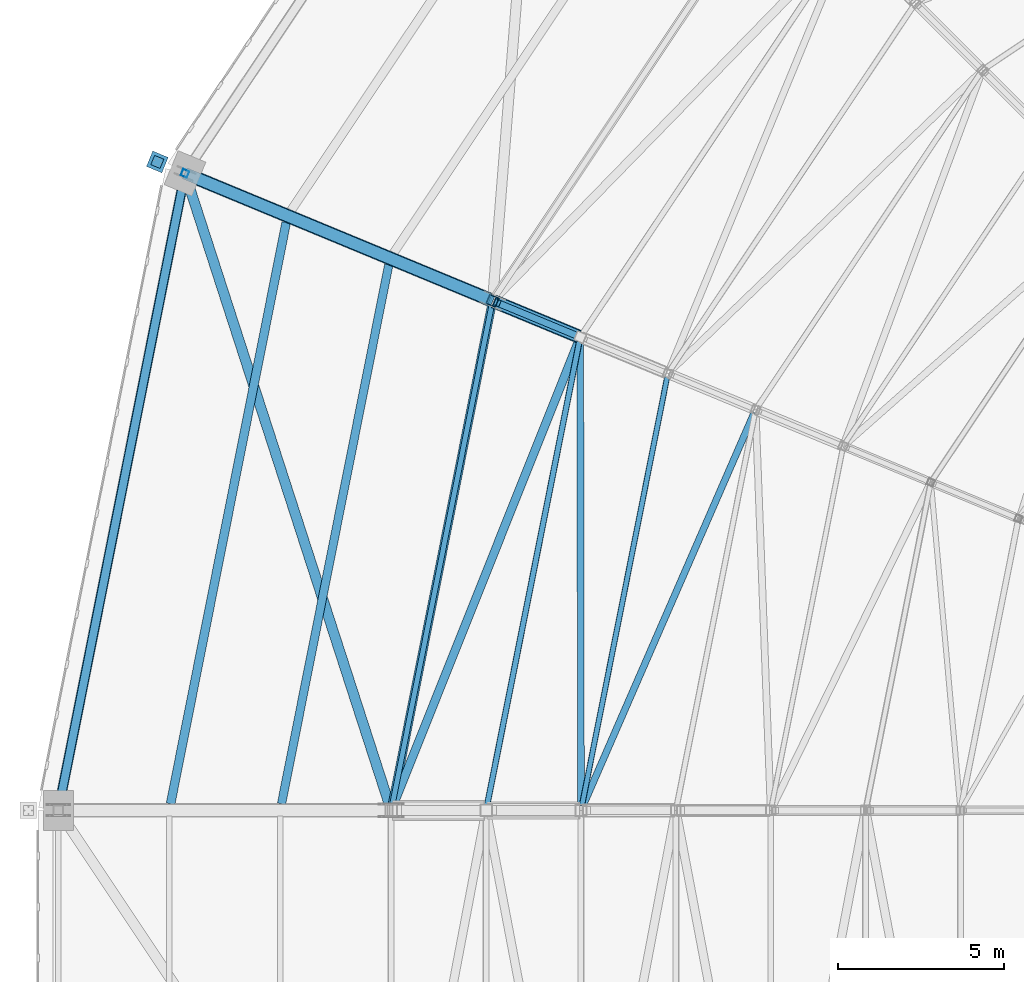
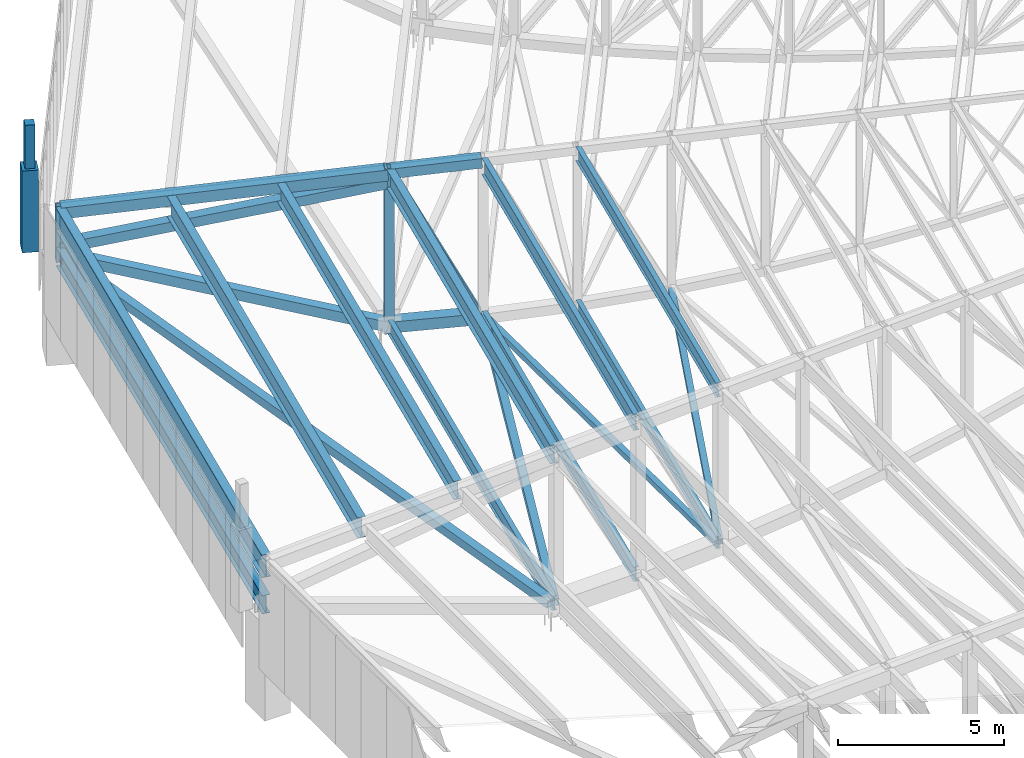
# One storey, part 67 of 278: 18 members, 6 beams.
"""IFC4 building model written with IfcOpenShell, lengths in metres."""

from ifc_helpers import new_model, si_unit, direction, frame, origin, origin_2d, place, context, subcontext, project, spatial, rectangle, hollow_rectangle, i_section, extrude, material, material_profile, profile_set, type_object, element, save


model = new_model("IFC4")

# Units and contexts
model_context = context("Model", 3, precision=1e-05, world=origin(), true_north=direction((0.0, 1.0)))
body_context = subcontext(model_context, "Body", "Model", "MODEL_VIEW")
ifc_project = project(units=[si_unit("LENGTHUNIT", "METRE"), si_unit("AREAUNIT", "SQUARE_METRE"), si_unit("VOLUMEUNIT", "CUBIC_METRE"), si_unit("PLANEANGLEUNIT", "RADIAN"), si_unit("MASSUNIT", "GRAM", prefix="KILO")], contexts=[model_context])

# Site, building, storey
site_placement = place(None, origin())
site = spatial("IfcSite", under=ifc_project, at=site_placement, CompositionType="ELEMENT")
building_placement = place(site_placement, origin())
building = spatial("IfcBuilding", under=site, at=building_placement, Name="Ogive Plaza Stadium", CompositionType="ELEMENT")
storey_placement = place(building_placement, frame((0.0, 0.0, 29.0)))
storey = spatial("IfcBuildingStorey", under=building, at=storey_placement, Name="Roof", CompositionType="ELEMENT", Elevation=29.0)

# Members
ifc_material_1 = material(Name="Concrete C45/55 precast", Category="concrete")
ifc_material_profile_1 = material_profile(ifc_material_1, rectangle(XDim=0.5, YDim=0.5, at=origin_2d()), Name="RC 500x500")
ifc_profile_set_1 = profile_set([ifc_material_profile_1], Name="Concrete C45/55 precast")
member_type_1 = type_object("IfcMemberType", Name="Precast pinnacle 500x500", PredefinedType="POST", material=ifc_profile_set_1)
member_1_placement = place(storey_placement, frame((-81.025390625, 71.978515625, 4.0), z_axis=(0.0, 0.0, 1.0), x_axis=(-0.382683432365, -0.923879532511, 0.0)))
element("IfcMember", 1, at=member_1_placement, inside=storey, type_object=member_type_1, Name="PINNACLE R29", PredefinedType="POST", context=body_context, shape_type="SweptSolid", body=[
    extrude(rectangle(XDim=0.5, YDim=0.5, at=origin_2d()), origin(), (0.0, 0.0, 1.0), 3.0),
])
ifc_material_2 = material(Name="Concrete C45/55 precast", Category="concrete")
ifc_material_profile_2 = material_profile(ifc_material_2, rectangle(XDim=0.300048828125, YDim=0.300048828125, at=origin_2d()), Name="RC 300x300")
ifc_profile_set_2 = profile_set([ifc_material_profile_2], Name="Concrete C45/55 precast")
member_type_2 = type_object("IfcMemberType", Name="Precast spire 300x300", PredefinedType="MEMBER", material=ifc_profile_set_2)
member_2_placement = place(storey_placement, frame((-81.025390625, 71.978515625, 7.0), z_axis=(0.0, 0.0, 1.0), x_axis=(-0.382683432365, -0.923879532511, 0.0)))
element("IfcMember", 2, at=member_2_placement, inside=storey, type_object=member_type_2, Name="SPIRE R29", PredefinedType="MEMBER", context=body_context, shape_type="SweptSolid", body=[
    extrude(rectangle(XDim=0.300048828125, YDim=0.300048828125, at=origin_2d()), origin(), (0.0, 0.0, 1.0), 1.60009765625),
])
ifc_material_3 = material(Name="Steel ASTM A500 Grade C", Category="steel")
ifc_material_profile_3 = material_profile(ifc_material_3, hollow_rectangle(XDim=0.25390625, YDim=0.25390625, WallThickness=0.0087890625, at=origin_2d()), Name="HSS10X10X3/8")
ifc_profile_set_3 = profile_set([ifc_material_profile_3], Name="Steel ASTM A500 Grade C")
member_type_3 = type_object("IfcMemberType", Name="Roof plan brace HSS10X10X3/8", PredefinedType="BRACE", material=ifc_profile_set_3)
member_3_placement = place(storey_placement, frame((-68.3681640625, 66.6015625, 0.266845703125), z_axis=(-0.370892564775, -0.92866632558, -0.004190600068), x_axis=(0.928674479902, -0.370895821464, 0.0)))
element("IfcMember", 3, at=member_3_placement, inside=storey, type_object=member_type_3, Name="ROOF BRACE B28 10", PredefinedType="BRACE", context=body_context, shape_type="SweptSolid", body=[
    extrude(hollow_rectangle(XDim=0.25390625, YDim=0.25390625, WallThickness=0.0087890625, at=origin_2d()), origin(), (0.0, 0.0, 1.0), 14.97265625),
])
ifc_material_4 = material(Name="Steel ASTM A500 Grade C", Category="steel")
ifc_material_profile_4 = material_profile(ifc_material_4, hollow_rectangle(XDim=0.3046875, YDim=0.3046875, WallThickness=0.0087890625, at=origin_2d()), Name="HSS12X12X3/8")
ifc_profile_set_4 = profile_set([ifc_material_profile_4], Name="Steel ASTM A500 Grade C")
member_type_4 = type_object("IfcMemberType", Name="Roof plan brace HSS12X12X3/8", PredefinedType="BRACE", material=ifc_profile_set_4)
member_4_placement = place(storey_placement, frame((-74.0634765625, 52.6962890625, 0.23876953125), z_axis=(-0.303484233035, 0.937504082222, 0.170245164735), x_axis=(-0.951392763713, -0.307980209031, 0.0)))
element("IfcMember", 4, at=member_4_placement, inside=storey, type_object=member_type_4, Name="ROOF BRACE B28 11", PredefinedType="BRACE", context=body_context, shape_type="SweptSolid", body=[
    extrude(hollow_rectangle(XDim=0.3046875, YDim=0.3046875, WallThickness=0.0087890625, at=origin_2d()), origin(), (0.0, 0.0, 1.0), 19.96337890625),
])
ifc_material_5 = material(Name="Steel ASTM A500 Grade C", Category="steel")
ifc_material_profile_5 = material_profile(ifc_material_5, hollow_rectangle(XDim=0.203125, YDim=0.203125, WallThickness=0.0087890625, at=origin_2d()), Name="HSS8X8X3/8")
ifc_profile_set_5 = profile_set([ifc_material_profile_5], Name="Steel ASTM A500 Grade C")
member_type_5 = type_object("IfcMemberType", Name="Roof plan brace HSS8X8X3/8", PredefinedType="BRACE", material=ifc_profile_set_5)
member_5_placement = place(storey_placement, frame((-63.095458984375, 64.44482421875, 0.728515625), z_axis=(-0.399342381412, -0.916524746659, -0.022539990446), x_axis=(0.916757656145, -0.399443863264, 0.0)))
element("IfcMember", 5, at=member_5_placement, inside=storey, type_object=member_type_5, Name="ROOF BRACE B28 8", PredefinedType="BRACE", context=body_context, shape_type="SweptSolid", body=[
    extrude(hollow_rectangle(XDim=0.203125, YDim=0.203125, WallThickness=0.0087890625, at=origin_2d()), origin(), (0.0, 0.0, 1.0), 12.824462890625),
])
member_6_placement = place(storey_placement, frame((-68.30029296875, 52.64794921875, 0.43310546875), z_axis=(-0.001546491055, 0.999929483207, -0.01177442053), x_axis=(-0.999998804016, -0.001546598266, 0.0)))
element("IfcMember", 6, at=member_6_placement, inside=storey, type_object=member_type_5, Name="ROOF BRACE B28 9", PredefinedType="BRACE", context=body_context, shape_type="SweptSolid", body=[
    extrude(hollow_rectangle(XDim=0.203125, YDim=0.203125, WallThickness=0.0087890625, at=origin_2d()), origin(), (0.0, 0.0, 1.0), 13.892333984375),
])
ifc_material_6 = material(Name="Steel ASTM A992 Grade 50", Category="steel")
ifc_material_profile_6 = material_profile(ifc_material_6, i_section(OverallWidth=0.15234375, OverallDepth=0.449462890625, WebThickness=0.007568359375, FlangeThickness=0.0107421875, at=origin_2d()), Name="W18X35")
ifc_profile_set_6 = profile_set([ifc_material_profile_6], Name="Steel ASTM A992 Grade 50")
member_type_6 = type_object("IfcMemberType", Name="Roof plan strut W18X35", PredefinedType="STRUT", material=ifc_profile_set_6)
member_7_placement = place(storey_placement, frame((-68.267578125, 52.663330078125, 0.434814453125), z_axis=(0.195094759096, 0.980784397803, 0.0), x_axis=(-0.980784397803, 0.195094759096, 0.0)))
element("IfcMember", 7, at=member_7_placement, inside=storey, type_object=member_type_6, Name="ROOF STRUT B28 8", PredefinedType="STRUT", context=body_context, shape_type="SweptSolid", body=[
    extrude(i_section(OverallWidth=0.15234375, OverallDepth=0.449462890625, WebThickness=0.007568359375, FlangeThickness=0.0107421875, at=origin_2d()), origin(), (0.0, 0.0, 1.0), 13.10205078125),
])
ifc_material_7 = material(Name="Steel ASTM A992 Grade 50", Category="steel")
ifc_material_profile_7 = material_profile(ifc_material_7, i_section(OverallWidth=0.1650390625, OverallDepth=0.524658203125, WebThickness=0.0087890625, FlangeThickness=0.011474609375, at=origin_2d()), Name="W21X44")
ifc_profile_set_7 = profile_set([ifc_material_profile_7], Name="Steel ASTM A992 Grade 50")
member_type_7 = type_object("IfcMemberType", Name="Roof plan strut W21X44", PredefinedType="STRUT", material=ifc_profile_set_7)
member_8_placement = place(storey_placement, frame((-71.1171875, 52.66455078125, 0.267333984375), z_axis=(0.195080090906, 0.980787315442, 0.0), x_axis=(-0.980787315442, 0.195080090906, 0.0)))
element("IfcMember", 8, at=member_8_placement, inside=storey, type_object=member_type_7, Name="ROOF STRUT B28 9", PredefinedType="STRUT", context=body_context, shape_type="SweptSolid", body=[
    extrude(i_section(OverallWidth=0.1650390625, OverallDepth=0.524658203125, WebThickness=0.0087890625, FlangeThickness=0.011474609375, at=origin_2d()), origin(), (0.0, 0.0, 1.0), 14.185546875),
])
member_9_placement = place(storey_placement, frame((-73.96728515625, 52.66455078125, 0.203125), z_axis=(0.195087872799, 0.98078576758, 0.0), x_axis=(-0.98078576758, 0.195087872799, 0.0)))
element("IfcMember", 9, at=member_9_placement, inside=storey, type_object=member_type_7, Name="ROOF STRUT B28 10", PredefinedType="STRUT", context=body_context, shape_type="SweptSolid", body=[
    extrude(i_section(OverallWidth=0.1650390625, OverallDepth=0.524658203125, WebThickness=0.0087890625, FlangeThickness=0.011474609375, at=origin_2d()), origin(), (0.0, 0.0, 1.0), 15.297607421875),
])
ifc_material_8 = material(Name="Steel ASTM A992 Grade 50", Category="steel")
ifc_material_profile_8 = material_profile(ifc_material_8, i_section(OverallWidth=0.2529296875, OverallDepth=0.678466796875, WebThickness=0.01171875, FlangeThickness=0.016357421875, at=origin_2d()), Name="W27X84")
ifc_profile_set_8 = profile_set([ifc_material_profile_8], Name="Steel ASTM A992 Grade 50")
member_type_8 = type_object("IfcMemberType", Name="Roof plan strut W27X84", PredefinedType="STRUT", material=ifc_profile_set_8)
member_10_placement = place(storey_placement, frame((-83.970703125, 52.647705078125, 3.677734375), z_axis=(0.195099495499, 0.980783455639, 0.0), x_axis=(-0.980783455639, 0.195099495499, 0.0)))
element("IfcMember", 10, at=member_10_placement, inside=storey, type_object=member_type_8, Name="ROOF STRUT B28 11", PredefinedType="STRUT", context=body_context, shape_type="SweptSolid", body=[
    extrude(i_section(OverallWidth=0.2529296875, OverallDepth=0.678466796875, WebThickness=0.01171875, FlangeThickness=0.016357421875, at=origin_2d()), origin(), (0.0, 0.0, 1.0), 19.259765625),
])
ifc_material_9 = material(Name="Steel ASTM A992 Grade 50", Category="steel")
ifc_material_profile_9 = material_profile(ifc_material_9, i_section(OverallWidth=0.1650390625, OverallDepth=0.524658203125, WebThickness=0.0087890625, FlangeThickness=0.011474609375, at=origin_2d()), Name="W21X44")
ifc_profile_set_9 = profile_set([ifc_material_profile_9], Name="Steel ASTM A992 Grade 50")
member_type_9 = type_object("IfcMemberType", Name="Roof purlin W21X44", PredefinedType="PURLIN", material=ifc_profile_set_9)
member_11_placement = place(storey_placement, frame((-68.267333984375, 52.66455078125, 6.022705078125), z_axis=(0.195094564949, 0.980784436422, 0.0), x_axis=(-0.980784436422, 0.195094564949, 0.0)))
element("IfcMember", 11, at=member_11_placement, inside=storey, type_object=member_type_9, Name="ROOF PURLIN B28 8", PredefinedType="PURLIN", context=body_context, shape_type="SweptSolid", body=[
    extrude(i_section(OverallWidth=0.1650390625, OverallDepth=0.524658203125, WebThickness=0.0087890625, FlangeThickness=0.011474609375, at=origin_2d()), origin(), (0.0, 0.0, 1.0), 13.099609375),
])
ifc_material_10 = material(Name="Steel ASTM A992 Grade 50", Category="steel")
ifc_material_profile_10 = material_profile(ifc_material_10, i_section(OverallWidth=0.177978515625, OverallDepth=0.5986328125, WebThickness=0.010009765625, FlangeThickness=0.012939453125, at=origin_2d()), Name="W24X55")
ifc_profile_set_10 = profile_set([ifc_material_profile_10], Name="Steel ASTM A992 Grade 50")
member_type_10 = type_object("IfcMemberType", Name="Roof purlin W24X55", PredefinedType="PURLIN", material=ifc_profile_set_10)
member_12_placement = place(storey_placement, frame((-71.116943359375, 52.665771484375, 5.84326171875), z_axis=(0.195079909016, 0.98078735162, 0.0), x_axis=(-0.98078735162, 0.195079909016, 0.0)))
element("IfcMember", 12, at=member_12_placement, inside=storey, type_object=member_type_10, Name="ROOF PURLIN B28 9", PredefinedType="PURLIN", context=body_context, shape_type="SweptSolid", body=[
    extrude(i_section(OverallWidth=0.177978515625, OverallDepth=0.5986328125, WebThickness=0.010009765625, FlangeThickness=0.012939453125, at=origin_2d()), origin(), (0.0, 0.0, 1.0), 14.18310546875),
])
ifc_material_11 = material(Name="Steel ASTM A992 Grade 50", Category="steel")
ifc_material_profile_11 = material_profile(ifc_material_11, i_section(OverallWidth=0.2529296875, OverallDepth=0.678466796875, WebThickness=0.01171875, FlangeThickness=0.016357421875, at=origin_2d()), Name="W27X84")
ifc_profile_set_11 = profile_set([ifc_material_profile_11], Name="Steel ASTM A992 Grade 50")
member_type_11 = type_object("IfcMemberType", Name="Roof purlin W27X84", PredefinedType="PURLIN", material=ifc_profile_set_11)
member_13_placement = place(storey_placement, frame((-73.965576171875, 52.673095703125, 5.660888671875), z_axis=(0.195086699859, 0.980786000888, 0.0), x_axis=(-0.980786000888, 0.195086699859, 0.0)))
element("IfcMember", 13, at=member_13_placement, inside=storey, type_object=member_type_11, Name="ROOF PURLIN B28 10", PredefinedType="PURLIN", context=body_context, shape_type="SweptSolid", body=[
    extrude(i_section(OverallWidth=0.2529296875, OverallDepth=0.678466796875, WebThickness=0.01171875, FlangeThickness=0.016357421875, at=origin_2d()), origin(), (0.0, 0.0, 1.0), 15.2802734375),
])
member_14_placement = place(storey_placement, frame((-77.2939453125, 52.698486328125, 5.494140625), z_axis=(0.195097549229, 0.980783842794, 0.0), x_axis=(-0.980783842794, 0.195097549229, 0.0)))
element("IfcMember", 14, at=member_14_placement, inside=storey, type_object=member_type_11, Name="ROOF PURLIN B28 11", PredefinedType="PURLIN", context=body_context, shape_type="SweptSolid", body=[
    extrude(i_section(OverallWidth=0.2529296875, OverallDepth=0.678466796875, WebThickness=0.01171875, FlangeThickness=0.016357421875, at=origin_2d()), origin(), (0.0, 0.0, 1.0), 16.503173828125),
])
ifc_material_12 = material(Name="Steel ASTM A992 Grade 50", Category="steel")
ifc_material_profile_12 = material_profile(ifc_material_12, i_section(OverallWidth=0.26416015625, OverallDepth=0.75, WebThickness=0.011962890625, FlangeThickness=0.015380859375, at=origin_2d()), Name="W30X90")
ifc_profile_set_12 = profile_set([ifc_material_profile_12], Name="Steel ASTM A992 Grade 50")
member_type_12 = type_object("IfcMemberType", Name="Roof purlin W30X90", PredefinedType="PURLIN", material=ifc_profile_set_12)
member_15_placement = place(storey_placement, frame((-80.626953125, 52.699462890625, 5.291748046875), z_axis=(0.195090070818, 0.98078533037, 0.0), x_axis=(-0.98078533037, 0.195090070818, 0.0)))
element("IfcMember", 15, at=member_15_placement, inside=storey, type_object=member_type_12, Name="ROOF PURLIN B28 12", PredefinedType="PURLIN", context=body_context, shape_type="SweptSolid", body=[
    extrude(i_section(OverallWidth=0.26416015625, OverallDepth=0.75, WebThickness=0.011962890625, FlangeThickness=0.015380859375, at=origin_2d()), origin(), (0.0, 0.0, 1.0), 17.801513671875),
])
ifc_material_13 = material(Name="Steel ASTM A992 Grade 50", Category="steel")
ifc_material_profile_13 = material_profile(ifc_material_13, i_section(OverallWidth=0.2919921875, OverallDepth=0.834716796875, WebThickness=0.013916015625, FlangeThickness=0.018798828125, at=origin_2d()), Name="W33X118")
ifc_profile_set_13 = profile_set([ifc_material_profile_13], Name="Steel ASTM A992 Grade 50")
member_type_13 = type_object("IfcMemberType", Name="Roof purlin W33X118", PredefinedType="PURLIN", material=ifc_profile_set_13)
member_16_placement = place(storey_placement, frame((-83.969970703125, 52.6513671875, 5.082763671875), z_axis=(0.195089328978, 0.98078547793, 0.0), x_axis=(-0.98078547793, 0.195089328978, 0.0)))
element("IfcMember", 16, at=member_16_placement, inside=storey, type_object=member_type_13, Name="ROOF PURLIN B28 13", PredefinedType="PURLIN", context=body_context, shape_type="SweptSolid", body=[
    extrude(i_section(OverallWidth=0.2919921875, OverallDepth=0.834716796875, WebThickness=0.013916015625, FlangeThickness=0.018798828125, at=origin_2d()), origin(), (0.0, 0.0, 1.0), 19.251953125),
])

# Beams
ifc_material_14 = material(Name="Steel ASTM A500 Grade C", Category="steel")
ifc_material_profile_14 = material_profile(ifc_material_14, hollow_rectangle(XDim=0.355712890625, YDim=0.355712890625, WallThickness=0.0146484375, at=origin_2d()), Name="HSS14X14X5/8")
ifc_profile_set_14 = profile_set([ifc_material_profile_14], Name="Steel ASTM A500 Grade C")
beam_type_1 = type_object("IfcBeamType", Name="Roof truss back-span bottom chord HSS14X14X5/8", PredefinedType="BEAM", material=ifc_profile_set_14)
beam_1_placement = place(storey_placement, frame((-71.00146484375, 67.826416015625, 0.205810546875), z_axis=(-0.8720107052, 0.361198342864, 0.330352973543), x_axis=(-0.382683145003, -0.92387965154, 0.0)))
element("IfcBeam", 17, at=beam_1_placement, inside=storey, type_object=beam_type_1, Name="ROOF TRUSS T29 BOTTOM CHORD 11", PredefinedType="BEAM", context=body_context, shape_type="SweptSolid", body=[
    extrude(hollow_rectangle(XDim=0.355712890625, YDim=0.355712890625, WallThickness=0.0146484375, at=origin_2d()), origin(), (0.0, 0.0, 1.0), 10.4794921875),
])
ifc_material_15 = material(Name="Steel ASTM A500 Grade C", Category="steel")
ifc_material_profile_15 = material_profile(ifc_material_15, hollow_rectangle(XDim=0.406494140625, YDim=0.406494140625, WallThickness=0.01171875, at=origin_2d()), Name="HSS16X16X1/2")
ifc_profile_set_15 = profile_set([ifc_material_profile_15], Name="Steel ASTM A500 Grade C")
beam_type_2 = type_object("IfcBeamType", Name="Roof truss back-span top chord HSS16X16X1/2", PredefinedType="BEAM", material=ifc_profile_set_15)
beam_2_placement = place(storey_placement, frame((-71.00146484375, 67.826416015625, 5.7939453125), z_axis=(-0.922724635654, 0.382212873931, -0.049925602233), x_axis=(-0.382690111637, -0.923876765838, 0.0)))
element("IfcBeam", 18, at=beam_2_placement, inside=storey, type_object=beam_type_2, Name="ROOF TRUSS T29 TOP CHORD 11", PredefinedType="BEAM", context=body_context, shape_type="SweptSolid", body=[
    extrude(hollow_rectangle(XDim=0.406494140625, YDim=0.406494140625, WallThickness=0.01171875, at=origin_2d()), origin(), (0.0, 0.0, 1.0), 9.912109375),
])

# Member
ifc_material_16 = material(Name="Steel ASTM A500 Grade C", Category="steel")
ifc_material_profile_16 = material_profile(ifc_material_16, hollow_rectangle(XDim=0.355712890625, YDim=0.355712890625, WallThickness=0.01171875, at=origin_2d()), Name="HSS14X14X1/2")
ifc_profile_set_16 = profile_set([ifc_material_profile_16], Name="Steel ASTM A500 Grade C")
member_type_14 = type_object("IfcMemberType", Name="Roof truss back-stay HSS14X14X1/2", PredefinedType="BRACE", material=ifc_profile_set_16)
member_17_placement = place(storey_placement, frame((-71.01708984375, 67.8330078125, 5.456787109375), z_axis=(-0.913970348271, 0.378574229049, -0.146081332079), x_axis=(-0.382679390263, -0.923881206794, 0.0)))
element("IfcMember", 19, at=member_17_placement, inside=storey, type_object=member_type_14, Name="BACK-STAY T29", PredefinedType="BRACE", context=body_context, shape_type="SweptSolid", body=[
    extrude(hollow_rectangle(XDim=0.355712890625, YDim=0.355712890625, WallThickness=0.01171875, at=origin_2d()), origin(), (0.0, 0.0, 1.0), 10.024169921875),
])

# Beam
ifc_material_17 = material(Name="Steel ASTM A500 Grade C", Category="steel")
ifc_material_profile_17 = material_profile(ifc_material_17, hollow_rectangle(XDim=0.406494140625, YDim=0.406494140625, WallThickness=0.0146484375, at=origin_2d()), Name="HSS16X16X5/8")
ifc_profile_set_17 = profile_set([ifc_material_profile_17], Name="Steel ASTM A500 Grade C")
beam_type_3 = type_object("IfcBeamType", Name="Roof truss bottom chord HSS16X16X5/8", PredefinedType="BEAM", material=ifc_profile_set_17)
beam_3_placement = place(storey_placement, frame((-68.368408203125, 66.73583984375, 0.266357421875), z_axis=(-0.923654312396, 0.382562952761, -0.022545473318), x_axis=(-0.382660217904, -0.923889147914, 0.0)))
element("IfcBeam", 20, at=beam_3_placement, inside=storey, type_object=beam_type_3, Name="ROOF TRUSS T29 BOTTOM CHORD 10", PredefinedType="BEAM", context=body_context, shape_type="SweptSolid", body=[
    extrude(hollow_rectangle(XDim=0.406494140625, YDim=0.406494140625, WallThickness=0.0146484375, at=origin_2d()), origin(), (0.0, 0.0, 1.0), 2.75048828125),
])

# Member
ifc_material_18 = material(Name="Steel ASTM A500 Grade C", Category="steel")
ifc_material_profile_18 = material_profile(ifc_material_18, hollow_rectangle(XDim=0.203125, YDim=0.203125, WallThickness=0.0087890625, at=origin_2d()), Name="HSS8X8X3/8")
ifc_profile_set_18 = profile_set([ifc_material_profile_18], Name="Steel ASTM A500 Grade C")
member_type_15 = type_object("IfcMemberType", Name="Roof truss diagonal HSS8X8X3/8", PredefinedType="BRACE", material=ifc_profile_set_18)
member_18_placement = place(storey_placement, frame((-68.462890625, 66.77490234375, 0.470703125), z_axis=(-0.407844983819, 0.168947413355, 0.897284370027), x_axis=(-0.382707581205, -0.923869529365, 0.0)))
element("IfcMember", 21, at=member_18_placement, inside=storey, type_object=member_type_15, Name="ROOF TRUSS T29 DIAGONAL 10", PredefinedType="BRACE", context=body_context, shape_type="SweptSolid", body=[
    extrude(hollow_rectangle(XDim=0.203125, YDim=0.203125, WallThickness=0.0087890625, at=origin_2d()), origin(), (0.0, 0.0, 1.0), 5.765869140625),
])

# Beams
ifc_material_19 = material(Name="Steel ASTM A500 Grade C", Category="steel")
ifc_material_profile_19 = material_profile(ifc_material_19, hollow_rectangle(XDim=0.3046875, YDim=0.3046875, WallThickness=0.01171875, at=origin_2d()), Name="HSS12X12X1/2")
ifc_profile_set_19 = profile_set([ifc_material_profile_19], Name="Steel ASTM A500 Grade C")
beam_type_4 = type_object("IfcBeamType", Name="Roof truss post HSS12X12X1/2", PredefinedType="BEAM", material=ifc_profile_set_19)
beam_4_placement = place(storey_placement, frame((-70.955078125, 67.807373046875, -0.06005859375), z_axis=(0.0, 0.0, 1.0), x_axis=(-0.382683432365, -0.923879532511, 0.0)))
element("IfcBeam", 22, at=beam_4_placement, inside=storey, type_object=beam_type_4, Name="ROOF TRUSS T29 POST 11", PredefinedType="BEAM", context=body_context, shape_type="SweptSolid", body=[
    extrude(hollow_rectangle(XDim=0.3046875, YDim=0.3046875, WallThickness=0.01171875, at=origin_2d()), origin(), (0.0, 0.0, 1.0), 6.06005859375),
])
ifc_material_20 = material(Name="Steel ASTM A500 Grade C", Category="steel")
ifc_material_profile_20 = material_profile(ifc_material_20, hollow_rectangle(XDim=0.203125, YDim=0.203125, WallThickness=0.0087890625, at=origin_2d()), Name="HSS8X8X3/8")
ifc_profile_set_20 = profile_set([ifc_material_profile_20], Name="Steel ASTM A500 Grade C")
beam_type_5 = type_object("IfcBeamType", Name="Roof truss post HSS8X8X3/8", PredefinedType="BEAM", material=ifc_profile_set_20)
beam_5_placement = place(storey_placement, frame((-80.194091796875, 71.63427734375, 3.43994140625), z_axis=(0.0, 0.0, 1.0), x_axis=(-0.382683432365, -0.923879532511, 0.0)))
element("IfcBeam", 23, at=beam_5_placement, inside=storey, type_object=beam_type_5, Name="ROOF TRUSS T29 POST 12", PredefinedType="BEAM", context=body_context, shape_type="SweptSolid", body=[
    extrude(hollow_rectangle(XDim=0.203125, YDim=0.203125, WallThickness=0.0087890625, at=origin_2d()), origin(), (0.0, 0.0, 1.0), 2.06005859375),
])
ifc_material_21 = material(Name="Steel ASTM A500 Grade C", Category="steel")
ifc_material_profile_21 = material_profile(ifc_material_21, hollow_rectangle(XDim=0.355712890625, YDim=0.355712890625, WallThickness=0.01171875, at=origin_2d()), Name="HSS14X14X1/2")
ifc_profile_set_21 = profile_set([ifc_material_profile_21], Name="Steel ASTM A500 Grade C")
beam_type_6 = type_object("IfcBeamType", Name="Roof truss top chord HSS14X14X1/2", PredefinedType="BEAM", material=ifc_profile_set_21)
beam_6_placement = place(storey_placement, frame((-68.368408203125, 66.73583984375, 5.9619140625), z_axis=(-0.922737112453, 0.382183063105, -0.049923216828), x_axis=(-0.382660217904, -0.923889147914, 0.0)))
element("IfcBeam", 24, at=beam_6_placement, inside=storey, type_object=beam_type_6, Name="ROOF TRUSS T29 TOP CHORD 10", PredefinedType="BEAM", context=body_context, shape_type="SweptSolid", body=[
    extrude(hollow_rectangle(XDim=0.355712890625, YDim=0.355712890625, WallThickness=0.01171875, at=origin_2d()), origin(), (0.0, 0.0, 1.0), 2.753173828125),
])

save(model, "model.ifc")
